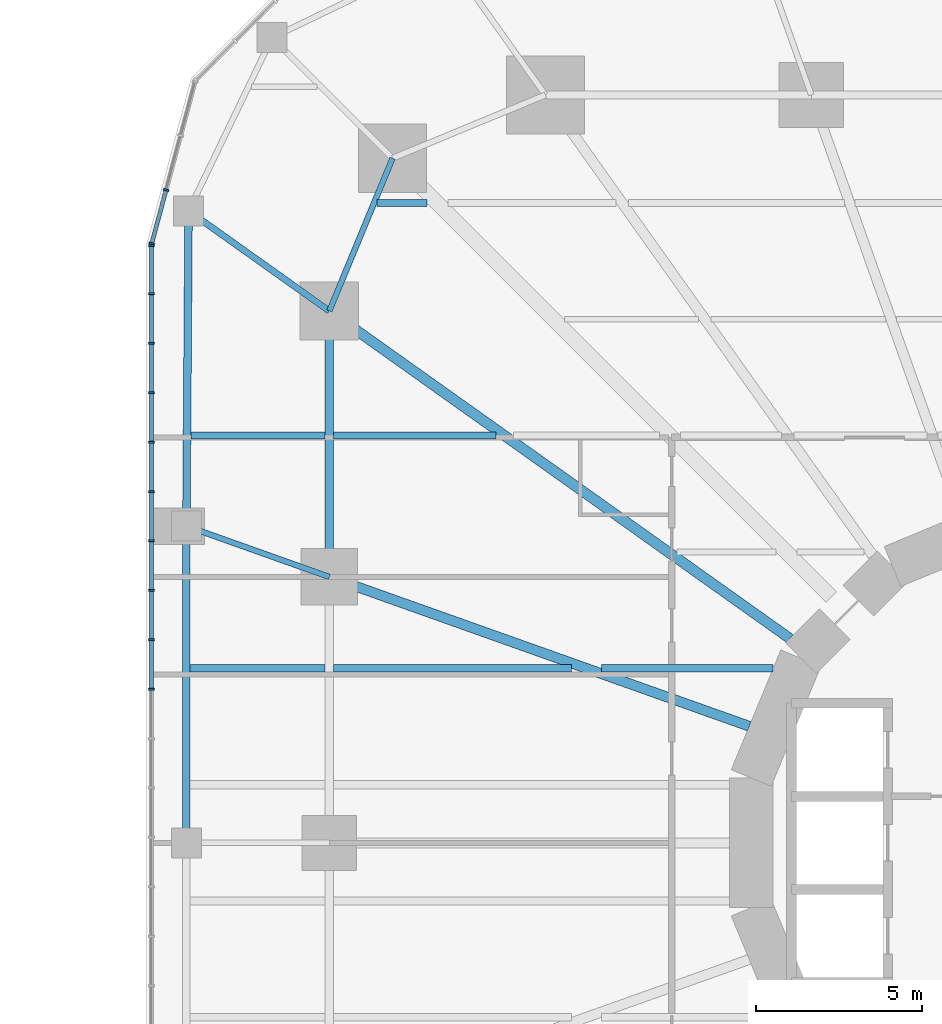
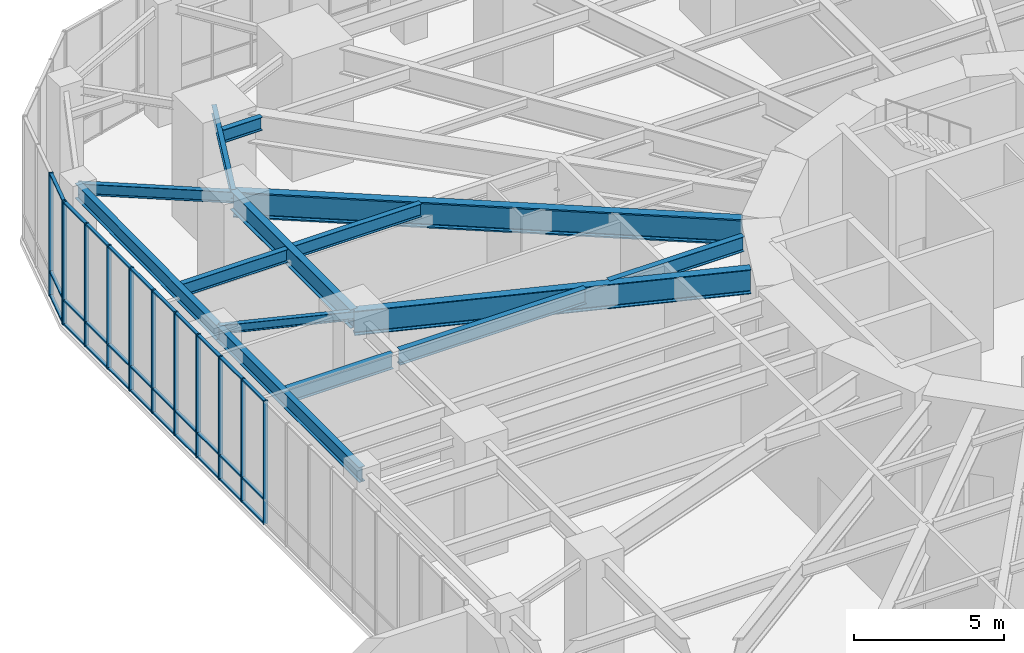
# One storey, part 10 of 24: 42 members, 14 beams, 2 elements without a shape of their own.
"""IFC4 building model written with IfcOpenShell, lengths in metres."""

from ifc_helpers import new_model, si_unit, direction, frame, origin, origin_2d, place, context, subcontext, project, spatial, rectangle, i_section, extrude, material, material_profile, profile_set, type_object, element, aggregate, save


model = new_model("IFC4")

# Units and contexts
model_context = context("Model", 3, precision=1e-05, world=origin(), true_north=direction((0.0, 1.0)))
body_context = subcontext(model_context, "Body", "Model", "MODEL_VIEW")
ifc_project = project(units=[si_unit("LENGTHUNIT", "METRE"), si_unit("AREAUNIT", "SQUARE_METRE"), si_unit("VOLUMEUNIT", "CUBIC_METRE"), si_unit("PLANEANGLEUNIT", "RADIAN"), si_unit("MASSUNIT", "GRAM", prefix="KILO")], contexts=[model_context])

# Site, building, storey
site_placement = place(None, origin())
site = spatial("IfcSite", under=ifc_project, at=site_placement, CompositionType="ELEMENT")
building_placement = place(site_placement, origin())
building = spatial("IfcBuilding", under=site, at=building_placement, Name="Nakasero Lantern House", CompositionType="ELEMENT")
storey_placement = place(building_placement, frame((0.0, 0.0, 11.0)))
storey = spatial("IfcBuildingStorey", under=building, at=storey_placement, Name="L02", CompositionType="ELEMENT", Elevation=11.0)

# Beams
ifc_material_1 = material(Name="Steel S355", Category="steel")
ifc_material_profile_1 = material_profile(ifc_material_1, i_section(OverallWidth=0.2099609375, OverallDepth=0.53662109375, WebThickness=0.0107421875, FlangeThickness=0.017333984375, FilletRadius=0.0126953125, at=origin_2d()), Name="UB 533x210x101")
ifc_profile_set_1 = profile_set([ifc_material_profile_1], Name="Steel S355")
beam_type_1 = type_object("IfcBeamType", Name="Infill beam UB 533x210x101", PredefinedType="JOIST", material=ifc_profile_set_1)
beam_1_placement = place(storey_placement, frame((-21.06103515625, 19.25, 4.53173828125), z_axis=(1.0, 0.0, 0.0), x_axis=(0.0, 1.0, 0.0)))
element("IfcBeam", 1, at=beam_1_placement, inside=storey, type_object=beam_type_1, Name="Infill beam L03 14.1", PredefinedType="JOIST", context=body_context, shape_type="SweptSolid", body=[
    extrude(i_section(OverallWidth=0.2099609375, OverallDepth=0.53662109375, WebThickness=0.0107421875, FlangeThickness=0.017333984375, FilletRadius=0.0126953125, at=origin_2d()), origin(), (0.0, 0.0, 1.0), 1.492919921875),
])
ifc_material_2 = material(Name="Steel S355", Category="steel")
ifc_material_profile_2 = material_profile(ifc_material_2, i_section(OverallWidth=0.208740234375, OverallDepth=0.5283203125, WebThickness=0.009521484375, FlangeThickness=0.01318359375, FilletRadius=0.0126953125, at=origin_2d()), Name="UB 533x210x82")
ifc_profile_set_2 = profile_set([ifc_material_profile_2], Name="Steel S355")
beam_type_2 = type_object("IfcBeamType", Name="Infill beam UB 533x210x82", PredefinedType="JOIST", material=ifc_profile_set_2)
beam_2_placement = place(storey_placement, frame((-26.66650390625, 12.25, 4.48583984375), z_axis=(1.0, 0.0, 0.0), x_axis=(0.0, 1.0, 0.0)))
element("IfcBeam", 2, at=beam_2_placement, inside=storey, type_object=beam_type_2, Name="Infill beam L03 12.1", PredefinedType="JOIST", context=body_context, shape_type="SweptSolid", body=[
    extrude(i_section(OverallWidth=0.208740234375, OverallDepth=0.5283203125, WebThickness=0.009521484375, FlangeThickness=0.01318359375, FilletRadius=0.0126953125, at=origin_2d()), origin(), (0.0, 0.0, 1.0), 4.033203125),
])
beam_3_placement = place(storey_placement, frame((-22.36669921875, 12.25, 4.535888671875), z_axis=(1.0, 0.0, 0.0), x_axis=(0.0, 1.0, 0.0)))
element("IfcBeam", 3, at=beam_3_placement, inside=storey, type_object=beam_type_2, Name="Infill beam L03 12.2", PredefinedType="JOIST", context=body_context, shape_type="SweptSolid", body=[
    extrude(i_section(OverallWidth=0.208740234375, OverallDepth=0.5283203125, WebThickness=0.009521484375, FlangeThickness=0.01318359375, FilletRadius=0.0126953125, at=origin_2d()), origin(), (0.0, 0.0, 1.0), 4.8740234375),
])
ifc_material_3 = material(Name="Steel S355", Category="steel")
ifc_material_profile_3 = material_profile(ifc_material_3, i_section(OverallWidth=0.2275390625, OverallDepth=0.6025390625, WebThickness=0.010498046875, FlangeThickness=0.014892578125, FilletRadius=0.0126953125, at=origin_2d()), Name="UB 610x229x101")
ifc_profile_set_3 = profile_set([ifc_material_profile_3], Name="Steel S355")
beam_type_3 = type_object("IfcBeamType", Name="Infill beam UB 610x229x101", PredefinedType="JOIST", material=ifc_profile_set_3)
beam_4_placement = place(storey_placement, frame((-26.685546875, 5.25, 4.44873046875), z_axis=(1.0, 0.0, 0.0), x_axis=(0.0, 1.0, 0.0)))
element("IfcBeam", 4, at=beam_4_placement, inside=storey, type_object=beam_type_3, Name="Infill beam L03 10.1", PredefinedType="JOIST", context=body_context, shape_type="SweptSolid", body=[
    extrude(i_section(OverallWidth=0.2275390625, OverallDepth=0.6025390625, WebThickness=0.010498046875, FlangeThickness=0.014892578125, FilletRadius=0.0126953125, at=origin_2d()), origin(), (0.0, 0.0, 1.0), 4.0576171875),
])
beam_5_placement = place(storey_placement, frame((-22.3720703125, 5.25, 4.498779296875), z_axis=(1.0, 0.0, 0.0), x_axis=(0.0, 1.0, 0.0)))
element("IfcBeam", 5, at=beam_5_placement, inside=storey, type_object=beam_type_3, Name="Infill beam L03 10.2", PredefinedType="JOIST", context=body_context, shape_type="SweptSolid", body=[
    extrude(i_section(OverallWidth=0.2275390625, OverallDepth=0.6025390625, WebThickness=0.010498046875, FlangeThickness=0.014892578125, FilletRadius=0.0126953125, at=origin_2d()), origin(), (0.0, 0.0, 1.0), 7.15869140625),
])
beam_6_placement = place(storey_placement, frame((-14.31787109375, 5.25, 4.498779296875), z_axis=(1.0, 0.0, 0.0), x_axis=(0.0, 1.0, 0.0)))
element("IfcBeam", 6, at=beam_6_placement, inside=storey, type_object=beam_type_3, Name="Infill beam L03 10.3", PredefinedType="JOIST", context=body_context, shape_type="SweptSolid", body=[
    extrude(i_section(OverallWidth=0.2275390625, OverallDepth=0.6025390625, WebThickness=0.010498046875, FlangeThickness=0.014892578125, FilletRadius=0.0126953125, at=origin_2d()), origin(), (0.0, 0.0, 1.0), 5.173095703125),
])

# Curtain wall, members
ifc_material_4 = material(Name="Aluminium 6063-T6 and glass", Category="aluminium")
curtain_wall_type = type_object("IfcCurtainWallType", Name="Podium curtain wall CW-2", PredefinedType="USERDEFINED", material=ifc_material_4)
curtain_wall_1_placement = place(storey_placement, origin())
curtain_wall_1 = element("IfcCurtainWall", 7, at=curtain_wall_1_placement, inside=storey, type_object=curtain_wall_type, Name="Curtain wall CW-2 L02", ObjectType="STICK CURTAIN WALL", PredefinedType="USERDEFINED")
ifc_material_5 = material(Name="Aluminium 6063-T6", Category="aluminium")
ifc_material_profile_4 = material_profile(ifc_material_5, rectangle(XDim=0.06005859375, YDim=0.159912109375, at=origin_2d()), Name="CW-2 mullion 60x160")
ifc_profile_set_4 = profile_set([ifc_material_profile_4], Name="Aluminium 6063-T6")
member_type_1 = type_object("IfcMemberType", Name="Mullion CW-2", PredefinedType="MULLION", material=ifc_profile_set_4)
member_1_placement = place(storey_placement, frame((-27.41015625, 19.6416015625, 0.0), z_axis=(0.0, 0.0, 1.0), x_axis=(-0.258819045103, -0.965925826289, 0.0)))
member_1 = element("IfcMember", 8, at=member_1_placement, type_object=member_type_1, Name="CW-2 mullion 3", PredefinedType="MULLION", context=body_context, shape_type="SweptSolid", body=[
    extrude(rectangle(XDim=0.06005859375, YDim=0.159912109375, at=origin_2d()), origin(), (0.0, 0.0, 1.0), 5.0),
])
member_2_placement = place(storey_placement, frame((-27.84228515625, 18.029052734375, 0.0), z_axis=(0.0, 0.0, 1.0), x_axis=(-0.258819045103, -0.965925826289, 0.0)))
member_2 = element("IfcMember", 9, at=member_2_placement, type_object=member_type_1, Name="CW-2 mullion 4", PredefinedType="MULLION", context=body_context, shape_type="SweptSolid", body=[
    extrude(rectangle(XDim=0.06005859375, YDim=0.159912109375, at=origin_2d()), origin(), (0.0, 0.0, 1.0), 5.0),
])

curtain_wall_2_placement = place(storey_placement, origin())
curtain_wall_2 = element("IfcCurtainWall", 10, at=curtain_wall_2_placement, inside=storey, type_object=curtain_wall_type, Name="Curtain wall CW-2 L02", ObjectType="STICK CURTAIN WALL", PredefinedType="USERDEFINED")
member_3_placement = place(storey_placement, frame((-27.85009765625, 17.969970703125, 0.0), z_axis=(0.0, 0.0, 1.0), x_axis=(0.0, -1.0, 0.0)))
member_3 = element("IfcMember", 11, at=member_3_placement, type_object=member_type_1, Name="CW-2 mullion 1", PredefinedType="MULLION", context=body_context, shape_type="SweptSolid", body=[
    extrude(rectangle(XDim=0.06005859375, YDim=0.159912109375, at=origin_2d()), origin(), (0.0, 0.0, 1.0), 5.0),
])
member_4_placement = place(storey_placement, frame((-27.85009765625, 16.513916015625, 0.0), z_axis=(0.0, 0.0, 1.0), x_axis=(0.0, -1.0, 0.0)))
member_4 = element("IfcMember", 12, at=member_4_placement, type_object=member_type_1, Name="CW-2 mullion 2", PredefinedType="MULLION", context=body_context, shape_type="SweptSolid", body=[
    extrude(rectangle(XDim=0.06005859375, YDim=0.159912109375, at=origin_2d()), origin(), (0.0, 0.0, 1.0), 5.0),
])
member_5_placement = place(storey_placement, frame((-27.85009765625, 15.02783203125, 0.0), z_axis=(0.0, 0.0, 1.0), x_axis=(0.0, -1.0, 0.0)))
member_5 = element("IfcMember", 13, at=member_5_placement, type_object=member_type_1, Name="CW-2 mullion 3", PredefinedType="MULLION", context=body_context, shape_type="SweptSolid", body=[
    extrude(rectangle(XDim=0.06005859375, YDim=0.159912109375, at=origin_2d()), origin(), (0.0, 0.0, 1.0), 5.0),
])
member_6_placement = place(storey_placement, frame((-27.85009765625, 13.541748046875, 0.0), z_axis=(0.0, 0.0, 1.0), x_axis=(0.0, -1.0, 0.0)))
member_6 = element("IfcMember", 14, at=member_6_placement, type_object=member_type_1, Name="CW-2 mullion 4", PredefinedType="MULLION", context=body_context, shape_type="SweptSolid", body=[
    extrude(rectangle(XDim=0.06005859375, YDim=0.159912109375, at=origin_2d()), origin(), (0.0, 0.0, 1.0), 5.0),
])
member_7_placement = place(storey_placement, frame((-27.85009765625, 12.0556640625, 0.0), z_axis=(0.0, 0.0, 1.0), x_axis=(0.0, -1.0, 0.0)))
member_7 = element("IfcMember", 15, at=member_7_placement, type_object=member_type_1, Name="CW-2 mullion 5", PredefinedType="MULLION", context=body_context, shape_type="SweptSolid", body=[
    extrude(rectangle(XDim=0.06005859375, YDim=0.159912109375, at=origin_2d()), origin(), (0.0, 0.0, 1.0), 5.0),
])
member_8_placement = place(storey_placement, frame((-27.85009765625, 10.5693359375, 0.0), z_axis=(0.0, 0.0, 1.0), x_axis=(0.0, -1.0, 0.0)))
member_8 = element("IfcMember", 16, at=member_8_placement, type_object=member_type_1, Name="CW-2 mullion 6", PredefinedType="MULLION", context=body_context, shape_type="SweptSolid", body=[
    extrude(rectangle(XDim=0.06005859375, YDim=0.159912109375, at=origin_2d()), origin(), (0.0, 0.0, 1.0), 5.0),
])
member_9_placement = place(storey_placement, frame((-27.85009765625, 9.083251953125, 0.0), z_axis=(0.0, 0.0, 1.0), x_axis=(0.0, -1.0, 0.0)))
member_9 = element("IfcMember", 17, at=member_9_placement, type_object=member_type_1, Name="CW-2 mullion 7", PredefinedType="MULLION", context=body_context, shape_type="SweptSolid", body=[
    extrude(rectangle(XDim=0.06005859375, YDim=0.159912109375, at=origin_2d()), origin(), (0.0, 0.0, 1.0), 5.0),
])
member_10_placement = place(storey_placement, frame((-27.85009765625, 7.59716796875, 0.0), z_axis=(0.0, 0.0, 1.0), x_axis=(0.0, -1.0, 0.0)))
member_10 = element("IfcMember", 18, at=member_10_placement, type_object=member_type_1, Name="CW-2 mullion 8", PredefinedType="MULLION", context=body_context, shape_type="SweptSolid", body=[
    extrude(rectangle(XDim=0.06005859375, YDim=0.159912109375, at=origin_2d()), origin(), (0.0, 0.0, 1.0), 5.0),
])
member_11_placement = place(storey_placement, frame((-27.85009765625, 6.111083984375, 0.0), z_axis=(0.0, 0.0, 1.0), x_axis=(0.0, -1.0, 0.0)))
member_11 = element("IfcMember", 19, at=member_11_placement, type_object=member_type_1, Name="CW-2 mullion 9", PredefinedType="MULLION", context=body_context, shape_type="SweptSolid", body=[
    extrude(rectangle(XDim=0.06005859375, YDim=0.159912109375, at=origin_2d()), origin(), (0.0, 0.0, 1.0), 5.0),
])
member_12_placement = place(storey_placement, frame((-27.85009765625, 4.625, 0.0), z_axis=(0.0, 0.0, 1.0), x_axis=(0.0, -1.0, 0.0)))
member_12 = element("IfcMember", 20, at=member_12_placement, type_object=member_type_1, Name="CW-2 mullion 10", PredefinedType="MULLION", context=body_context, shape_type="SweptSolid", body=[
    extrude(rectangle(XDim=0.06005859375, YDim=0.159912109375, at=origin_2d()), origin(), (0.0, 0.0, 1.0), 5.0),
])

# Beams
ifc_material_6 = material(Name="Steel S355", Category="steel")
ifc_material_profile_5 = material_profile(ifc_material_6, i_section(OverallWidth=0.300048828125, OverallDepth=0.989990234375, WebThickness=0.0166015625, FlangeThickness=0.031005859375, FilletRadius=0.030029296875, at=origin_2d()), Name="UB 1016x305x272")
ifc_profile_set_5 = profile_set([ifc_material_profile_5], Name="Steel S355")
beam_type_4 = type_object("IfcBeamType", Name="Primary beam UB 1016x305x272, span 12 to 15 m", PredefinedType="BEAM", material=ifc_profile_set_5)
beam_7_placement = place(storey_placement, frame((-22.5, 8.0, 4.304931640625), z_axis=(0.942214307118, -0.335010745293, 0.0), x_axis=(0.335010745293, 0.942214307118, 0.0)))
element("IfcBeam", 21, at=beam_7_placement, inside=storey, type_object=beam_type_4, Name="Primary beam L03 B1-C14", PredefinedType="BEAM", context=body_context, shape_type="SweptSolid", body=[
    extrude(i_section(OverallWidth=0.300048828125, OverallDepth=0.989990234375, WebThickness=0.0166015625, FlangeThickness=0.031005859375, FilletRadius=0.030029296875, at=origin_2d()), origin(), (0.0, 0.0, 1.0), 13.408447265625),
])
ifc_material_7 = material(Name="Steel S355", Category="steel")
ifc_material_profile_6 = material_profile(ifc_material_7, i_section(OverallWidth=0.30859375, OverallDepth=1.036376953125, WebThickness=0.030029296875, FlangeThickness=0.05419921875, FilletRadius=0.030029296875, at=origin_2d()), Name="UB 1016x305x487")
ifc_profile_set_6 = profile_set([ifc_material_profile_6], Name="Steel S355")
beam_type_5 = type_object("IfcBeamType", Name="Primary beam UB 1016x305x487, span over 15 m", PredefinedType="BEAM", material=ifc_profile_set_6)
beam_8_placement = place(storey_placement, frame((-22.5, 16.0, 4.28173828125), z_axis=(0.814952159915, -0.579528236629, 0.0), x_axis=(0.579528236629, 0.814952159915, 0.0)))
element("IfcBeam", 22, at=beam_8_placement, inside=storey, type_object=beam_type_5, Name="Primary beam L03 B1-C13", PredefinedType="BEAM", context=body_context, shape_type="SweptSolid", body=[
    extrude(i_section(OverallWidth=0.30859375, OverallDepth=1.036376953125, WebThickness=0.030029296875, FlangeThickness=0.05419921875, FilletRadius=0.030029296875, at=origin_2d()), origin(), (0.0, 0.0, 1.0), 17.003173828125),
])
ifc_material_8 = material(Name="Steel S355", Category="steel")
ifc_material_profile_7 = material_profile(ifc_material_8, i_section(OverallWidth=0.17138671875, OverallDepth=0.35498046875, WebThickness=0.00732421875, FlangeThickness=0.011474609375, FilletRadius=0.01025390625, at=origin_2d()), Name="UB 356x171x51")
ifc_profile_set_7 = profile_set([ifc_material_profile_7], Name="Steel S355")
beam_type_6 = type_object("IfcBeamType", Name="Primary beam UB 356x171x51, span to 6 m", PredefinedType="BEAM", material=ifc_profile_set_7)
beam_9_placement = place(storey_placement, frame((-26.800048828125, 9.52880859375, 4.572509765625), z_axis=(0.942221444489, -0.334990670833, 0.0), x_axis=(0.334990670833, 0.942221444489, 0.0)))
element("IfcBeam", 23, at=beam_9_placement, inside=storey, type_object=beam_type_6, Name="Primary beam L03 POD-C14", PredefinedType="BEAM", context=body_context, shape_type="SweptSolid", body=[
    extrude(i_section(OverallWidth=0.17138671875, OverallDepth=0.35498046875, WebThickness=0.00732421875, FlangeThickness=0.011474609375, FilletRadius=0.01025390625, at=origin_2d()), origin(), (0.0, 0.0, 1.0), 4.563720703125),
])
ifc_material_9 = material(Name="Steel S355", Category="steel")
ifc_material_profile_8 = material_profile(ifc_material_9, i_section(OverallWidth=0.18994140625, OverallDepth=0.453369140625, WebThickness=0.008544921875, FlangeThickness=0.0126953125, FilletRadius=0.01025390625, at=origin_2d()), Name="UB 457x191x67")
ifc_profile_set_8 = profile_set([ifc_material_profile_8], Name="Steel S355")
beam_type_7 = type_object("IfcBeamType", Name="Primary beam UB 457x191x67, span to 6 m", PredefinedType="BEAM", material=ifc_profile_set_8)
beam_10_placement = place(storey_placement, frame((-26.733642578125, 19.0107421875, 4.523193359375), z_axis=(0.814941514044, -0.57954320692, 0.0), x_axis=(0.57954320692, 0.814941514044, 0.0)))
element("IfcBeam", 24, at=beam_10_placement, inside=storey, type_object=beam_type_7, Name="Primary beam L03 POD-C13", PredefinedType="BEAM", context=body_context, shape_type="SweptSolid", body=[
    extrude(i_section(OverallWidth=0.18994140625, OverallDepth=0.453369140625, WebThickness=0.008544921875, FlangeThickness=0.0126953125, FilletRadius=0.01025390625, at=origin_2d()), origin(), (0.0, 0.0, 1.0), 5.195068359375),
])
ifc_material_10 = material(Name="Steel S355", Category="steel")
ifc_material_profile_9 = material_profile(ifc_material_10, i_section(OverallWidth=0.17138671875, OverallDepth=0.35498046875, WebThickness=0.00732421875, FlangeThickness=0.011474609375, FilletRadius=0.01025390625, at=origin_2d()), Name="UB 356x171x51")
ifc_profile_set_9 = profile_set([ifc_material_profile_9], Name="Steel S355")
beam_type_8 = type_object("IfcBeamType", Name="Ring beam UB 356x171x51", PredefinedType="BEAM", material=ifc_profile_set_9)
beam_11_placement = place(storey_placement, frame((-20.59619140625, 20.59619140625, 4.62255859375), z_axis=(-0.382684080569, -0.923879264016, 0.0), x_axis=(0.923879264016, -0.382684080569, 0.0)))
element("IfcBeam", 25, at=beam_11_placement, inside=storey, type_object=beam_type_8, Name="Ring beam L03 B1-C12", PredefinedType="BEAM", context=body_context, shape_type="SweptSolid", body=[
    extrude(i_section(OverallWidth=0.17138671875, OverallDepth=0.35498046875, WebThickness=0.00732421875, FlangeThickness=0.011474609375, FilletRadius=0.01025390625, at=origin_2d()), origin(), (0.0, 0.0, 1.0), 4.974853515625),
])
ifc_material_11 = material(Name="Steel S355", Category="steel")
ifc_material_profile_10 = material_profile(ifc_material_11, i_section(OverallWidth=0.22900390625, OverallDepth=0.6123046875, WebThickness=0.011962890625, FlangeThickness=0.01953125, FilletRadius=0.0126953125, at=origin_2d()), Name="UB 610x229x125")
ifc_profile_set_10 = profile_set([ifc_material_profile_10], Name="Steel S355")
beam_type_9 = type_object("IfcBeamType", Name="Ring beam UB 610x229x125", PredefinedType="BEAM", material=ifc_profile_set_10)
beam_12_placement = place(storey_placement, frame((-26.733642578125, 19.0107421875, 4.44384765625), z_axis=(-0.007003278482, -0.999975476745, 0.0), x_axis=(0.999975476745, -0.007003278482, 0.0)))
element("IfcBeam", 26, at=beam_12_placement, inside=storey, type_object=beam_type_9, Name="Ring beam L03 POD-C13", PredefinedType="BEAM", context=body_context, shape_type="SweptSolid", body=[
    extrude(i_section(OverallWidth=0.22900390625, OverallDepth=0.6123046875, WebThickness=0.011962890625, FlangeThickness=0.01953125, FilletRadius=0.0126953125, at=origin_2d()), origin(), (0.0, 0.0, 1.0), 9.482177734375),
])
beam_13_placement = place(storey_placement, frame((-26.800048828125, 9.52880859375, 4.44384765625), z_axis=(0.0, -1.0, 0.0), x_axis=(1.0, 0.0, 0.0)))
element("IfcBeam", 27, at=beam_13_placement, inside=storey, type_object=beam_type_9, Name="Ring beam L03 POD-C14", PredefinedType="BEAM", context=body_context, shape_type="SweptSolid", body=[
    extrude(i_section(OverallWidth=0.22900390625, OverallDepth=0.6123046875, WebThickness=0.011962890625, FlangeThickness=0.01953125, FilletRadius=0.0126953125, at=origin_2d()), origin(), (0.0, 0.0, 1.0), 9.52880859375),
])
ifc_material_12 = material(Name="Steel S355", Category="steel")
ifc_material_profile_11 = material_profile(ifc_material_12, i_section(OverallWidth=0.2666015625, OverallDepth=0.76220703125, WebThickness=0.014404296875, FlangeThickness=0.021484375, FilletRadius=0.0166015625, at=origin_2d()), Name="UB 762x267x173")
ifc_profile_set_11 = profile_set([ifc_material_profile_11], Name="Steel S355")
beam_type_10 = type_object("IfcBeamType", Name="Ring beam UB 762x267x173", PredefinedType="BEAM", material=ifc_profile_set_11)
beam_14_placement = place(storey_placement, frame((-22.5, 16.0, 4.4189453125), z_axis=(0.0, -1.0, 0.0), x_axis=(1.0, 0.0, 0.0)))
element("IfcBeam", 28, at=beam_14_placement, inside=storey, type_object=beam_type_10, Name="Ring beam L03 B1-C13", PredefinedType="BEAM", context=body_context, shape_type="SweptSolid", body=[
    extrude(i_section(OverallWidth=0.2666015625, OverallDepth=0.76220703125, WebThickness=0.014404296875, FlangeThickness=0.021484375, FilletRadius=0.0166015625, at=origin_2d()), origin(), (0.0, 0.0, 1.0), 8.0),
])

# Member
ifc_material_13 = material(Name="Aluminium 6063-T6", Category="aluminium")
ifc_material_profile_12 = material_profile(ifc_material_13, rectangle(XDim=0.06005859375, YDim=0.1201171875, at=origin_2d()), Name="CW-2 transom 60x120")
ifc_profile_set_12 = profile_set([ifc_material_profile_12], Name="Aluminium 6063-T6")
member_type_2 = type_object("IfcMemberType", Name="Transom CW-2", PredefinedType="USERDEFINED", material=ifc_profile_set_12)
member_13_placement = place(storey_placement, frame((-27.41796875, 19.61279296875, 0.030029296875), z_axis=(-0.258738612203, -0.96594737463, 0.0), x_axis=(0.0, 0.0, 1.0)))
member_13 = element("IfcMember", 29, at=member_13_placement, type_object=member_type_2, Name="CW-2 transom 3.1", ObjectType="TRANSOM", PredefinedType="USERDEFINED", context=body_context, shape_type="SweptSolid", body=[
    extrude(rectangle(XDim=0.06005859375, YDim=0.1201171875, at=origin_2d()), origin(), (0.0, 0.0, 1.0), 1.60986328125),
])

member_14_placement = place(storey_placement, frame((-27.41796875, 19.61279296875, 1.0), z_axis=(-0.258738612203, -0.96594737463, 0.0), x_axis=(0.0, 0.0, 1.0)))
member_14 = element("IfcMember", 30, at=member_14_placement, type_object=member_type_2, Name="CW-2 transom 3.2", ObjectType="TRANSOM", PredefinedType="USERDEFINED", context=body_context, shape_type="SweptSolid", body=[
    extrude(rectangle(XDim=0.06005859375, YDim=0.1201171875, at=origin_2d()), origin(), (0.0, 0.0, 1.0), 1.60986328125),
])

member_15_placement = place(storey_placement, frame((-27.41796875, 19.61279296875, 4.969970703125), z_axis=(-0.258738612203, -0.96594737463, 0.0), x_axis=(0.0, 0.0, 1.0)))
member_15 = element("IfcMember", 31, at=member_15_placement, type_object=member_type_2, Name="CW-2 transom 3.3", ObjectType="TRANSOM", PredefinedType="USERDEFINED", context=body_context, shape_type="SweptSolid", body=[
    extrude(rectangle(XDim=0.06005859375, YDim=0.1201171875, at=origin_2d()), origin(), (0.0, 0.0, 1.0), 1.60986328125),
])

aggregate(curtain_wall_1, [member_1, member_2, member_13, member_14, member_15])

member_16_placement = place(storey_placement, frame((-27.85009765625, 17.93994140625, 0.030029296875), z_axis=(0.0, -1.0, 0.0), x_axis=(0.0, 0.0, 1.0)))
member_16 = element("IfcMember", 32, at=member_16_placement, type_object=member_type_2, Name="CW-2 transom 1.1", ObjectType="TRANSOM", PredefinedType="USERDEFINED", context=body_context, shape_type="SweptSolid", body=[
    extrude(rectangle(XDim=0.06005859375, YDim=0.1201171875, at=origin_2d()), origin(), (0.0, 0.0, 1.0), 1.39599609375),
])

member_17_placement = place(storey_placement, frame((-27.85009765625, 17.93994140625, 1.0), z_axis=(0.0, -1.0, 0.0), x_axis=(0.0, 0.0, 1.0)))
member_17 = element("IfcMember", 33, at=member_17_placement, type_object=member_type_2, Name="CW-2 transom 1.2", ObjectType="TRANSOM", PredefinedType="USERDEFINED", context=body_context, shape_type="SweptSolid", body=[
    extrude(rectangle(XDim=0.06005859375, YDim=0.1201171875, at=origin_2d()), origin(), (0.0, 0.0, 1.0), 1.39599609375),
])

member_18_placement = place(storey_placement, frame((-27.85009765625, 17.93994140625, 4.969970703125), z_axis=(0.0, -1.0, 0.0), x_axis=(0.0, 0.0, 1.0)))
member_18 = element("IfcMember", 34, at=member_18_placement, type_object=member_type_2, Name="CW-2 transom 1.3", ObjectType="TRANSOM", PredefinedType="USERDEFINED", context=body_context, shape_type="SweptSolid", body=[
    extrude(rectangle(XDim=0.06005859375, YDim=0.1201171875, at=origin_2d()), origin(), (0.0, 0.0, 1.0), 1.39599609375),
])

member_19_placement = place(storey_placement, frame((-27.85009765625, 16.48388671875, 0.030029296875), z_axis=(0.0, -1.0, 0.0), x_axis=(0.0, 0.0, 1.0)))
member_19 = element("IfcMember", 35, at=member_19_placement, type_object=member_type_2, Name="CW-2 transom 2.1", ObjectType="TRANSOM", PredefinedType="USERDEFINED", context=body_context, shape_type="SweptSolid", body=[
    extrude(rectangle(XDim=0.06005859375, YDim=0.1201171875, at=origin_2d()), origin(), (0.0, 0.0, 1.0), 1.426025390625),
])

member_20_placement = place(storey_placement, frame((-27.85009765625, 16.48388671875, 1.0), z_axis=(0.0, -1.0, 0.0), x_axis=(0.0, 0.0, 1.0)))
member_20 = element("IfcMember", 36, at=member_20_placement, type_object=member_type_2, Name="CW-2 transom 2.2", ObjectType="TRANSOM", PredefinedType="USERDEFINED", context=body_context, shape_type="SweptSolid", body=[
    extrude(rectangle(XDim=0.06005859375, YDim=0.1201171875, at=origin_2d()), origin(), (0.0, 0.0, 1.0), 1.426025390625),
])

member_21_placement = place(storey_placement, frame((-27.85009765625, 16.48388671875, 4.969970703125), z_axis=(0.0, -1.0, 0.0), x_axis=(0.0, 0.0, 1.0)))
member_21 = element("IfcMember", 37, at=member_21_placement, type_object=member_type_2, Name="CW-2 transom 2.3", ObjectType="TRANSOM", PredefinedType="USERDEFINED", context=body_context, shape_type="SweptSolid", body=[
    extrude(rectangle(XDim=0.06005859375, YDim=0.1201171875, at=origin_2d()), origin(), (0.0, 0.0, 1.0), 1.426025390625),
])

member_22_placement = place(storey_placement, frame((-27.85009765625, 14.997802734375, 0.030029296875), z_axis=(0.0, -1.0, 0.0), x_axis=(0.0, 0.0, 1.0)))
member_22 = element("IfcMember", 38, at=member_22_placement, type_object=member_type_2, Name="CW-2 transom 3.1", ObjectType="TRANSOM", PredefinedType="USERDEFINED", context=body_context, shape_type="SweptSolid", body=[
    extrude(rectangle(XDim=0.06005859375, YDim=0.1201171875, at=origin_2d()), origin(), (0.0, 0.0, 1.0), 1.426025390625),
])

member_23_placement = place(storey_placement, frame((-27.85009765625, 14.997802734375, 1.0), z_axis=(0.0, -1.0, 0.0), x_axis=(0.0, 0.0, 1.0)))
member_23 = element("IfcMember", 39, at=member_23_placement, type_object=member_type_2, Name="CW-2 transom 3.2", ObjectType="TRANSOM", PredefinedType="USERDEFINED", context=body_context, shape_type="SweptSolid", body=[
    extrude(rectangle(XDim=0.06005859375, YDim=0.1201171875, at=origin_2d()), origin(), (0.0, 0.0, 1.0), 1.426025390625),
])

member_24_placement = place(storey_placement, frame((-27.85009765625, 14.997802734375, 4.969970703125), z_axis=(0.0, -1.0, 0.0), x_axis=(0.0, 0.0, 1.0)))
member_24 = element("IfcMember", 40, at=member_24_placement, type_object=member_type_2, Name="CW-2 transom 3.3", ObjectType="TRANSOM", PredefinedType="USERDEFINED", context=body_context, shape_type="SweptSolid", body=[
    extrude(rectangle(XDim=0.06005859375, YDim=0.1201171875, at=origin_2d()), origin(), (0.0, 0.0, 1.0), 1.426025390625),
])

member_25_placement = place(storey_placement, frame((-27.85009765625, 13.51171875, 0.030029296875), z_axis=(0.0, -1.0, 0.0), x_axis=(0.0, 0.0, 1.0)))
member_25 = element("IfcMember", 41, at=member_25_placement, type_object=member_type_2, Name="CW-2 transom 4.1", ObjectType="TRANSOM", PredefinedType="USERDEFINED", context=body_context, shape_type="SweptSolid", body=[
    extrude(rectangle(XDim=0.06005859375, YDim=0.1201171875, at=origin_2d()), origin(), (0.0, 0.0, 1.0), 1.42626953125),
])

member_26_placement = place(storey_placement, frame((-27.85009765625, 13.51171875, 1.0), z_axis=(0.0, -1.0, 0.0), x_axis=(0.0, 0.0, 1.0)))
member_26 = element("IfcMember", 42, at=member_26_placement, type_object=member_type_2, Name="CW-2 transom 4.2", ObjectType="TRANSOM", PredefinedType="USERDEFINED", context=body_context, shape_type="SweptSolid", body=[
    extrude(rectangle(XDim=0.06005859375, YDim=0.1201171875, at=origin_2d()), origin(), (0.0, 0.0, 1.0), 1.42626953125),
])

member_27_placement = place(storey_placement, frame((-27.85009765625, 13.51171875, 4.969970703125), z_axis=(0.0, -1.0, 0.0), x_axis=(0.0, 0.0, 1.0)))
member_27 = element("IfcMember", 43, at=member_27_placement, type_object=member_type_2, Name="CW-2 transom 4.3", ObjectType="TRANSOM", PredefinedType="USERDEFINED", context=body_context, shape_type="SweptSolid", body=[
    extrude(rectangle(XDim=0.06005859375, YDim=0.1201171875, at=origin_2d()), origin(), (0.0, 0.0, 1.0), 1.42626953125),
])

member_28_placement = place(storey_placement, frame((-27.85009765625, 12.025634765625, 0.030029296875), z_axis=(0.0, -1.0, 0.0), x_axis=(0.0, 0.0, 1.0)))
member_28 = element("IfcMember", 44, at=member_28_placement, type_object=member_type_2, Name="CW-2 transom 5.1", ObjectType="TRANSOM", PredefinedType="USERDEFINED", context=body_context, shape_type="SweptSolid", body=[
    extrude(rectangle(XDim=0.06005859375, YDim=0.1201171875, at=origin_2d()), origin(), (0.0, 0.0, 1.0), 1.42626953125),
])

member_29_placement = place(storey_placement, frame((-27.85009765625, 12.025634765625, 1.0), z_axis=(0.0, -1.0, 0.0), x_axis=(0.0, 0.0, 1.0)))
member_29 = element("IfcMember", 45, at=member_29_placement, type_object=member_type_2, Name="CW-2 transom 5.2", ObjectType="TRANSOM", PredefinedType="USERDEFINED", context=body_context, shape_type="SweptSolid", body=[
    extrude(rectangle(XDim=0.06005859375, YDim=0.1201171875, at=origin_2d()), origin(), (0.0, 0.0, 1.0), 1.42626953125),
])

member_30_placement = place(storey_placement, frame((-27.85009765625, 12.025634765625, 4.969970703125), z_axis=(0.0, -1.0, 0.0), x_axis=(0.0, 0.0, 1.0)))
member_30 = element("IfcMember", 46, at=member_30_placement, type_object=member_type_2, Name="CW-2 transom 5.3", ObjectType="TRANSOM", PredefinedType="USERDEFINED", context=body_context, shape_type="SweptSolid", body=[
    extrude(rectangle(XDim=0.06005859375, YDim=0.1201171875, at=origin_2d()), origin(), (0.0, 0.0, 1.0), 1.42626953125),
])

member_31_placement = place(storey_placement, frame((-27.85009765625, 10.53955078125, 0.030029296875), z_axis=(0.0, -1.0, 0.0), x_axis=(0.0, 0.0, 1.0)))
member_31 = element("IfcMember", 47, at=member_31_placement, type_object=member_type_2, Name="CW-2 transom 6.1", ObjectType="TRANSOM", PredefinedType="USERDEFINED", context=body_context, shape_type="SweptSolid", body=[
    extrude(rectangle(XDim=0.06005859375, YDim=0.1201171875, at=origin_2d()), origin(), (0.0, 0.0, 1.0), 1.42626953125),
])

member_32_placement = place(storey_placement, frame((-27.85009765625, 10.53955078125, 1.0), z_axis=(0.0, -1.0, 0.0), x_axis=(0.0, 0.0, 1.0)))
member_32 = element("IfcMember", 48, at=member_32_placement, type_object=member_type_2, Name="CW-2 transom 6.2", ObjectType="TRANSOM", PredefinedType="USERDEFINED", context=body_context, shape_type="SweptSolid", body=[
    extrude(rectangle(XDim=0.06005859375, YDim=0.1201171875, at=origin_2d()), origin(), (0.0, 0.0, 1.0), 1.42626953125),
])

member_33_placement = place(storey_placement, frame((-27.85009765625, 10.53955078125, 4.969970703125), z_axis=(0.0, -1.0, 0.0), x_axis=(0.0, 0.0, 1.0)))
member_33 = element("IfcMember", 49, at=member_33_placement, type_object=member_type_2, Name="CW-2 transom 6.3", ObjectType="TRANSOM", PredefinedType="USERDEFINED", context=body_context, shape_type="SweptSolid", body=[
    extrude(rectangle(XDim=0.06005859375, YDim=0.1201171875, at=origin_2d()), origin(), (0.0, 0.0, 1.0), 1.42626953125),
])

member_34_placement = place(storey_placement, frame((-27.85009765625, 9.05322265625, 0.030029296875), z_axis=(0.0, -1.0, 0.0), x_axis=(0.0, 0.0, 1.0)))
member_34 = element("IfcMember", 50, at=member_34_placement, type_object=member_type_2, Name="CW-2 transom 7.1", ObjectType="TRANSOM", PredefinedType="USERDEFINED", context=body_context, shape_type="SweptSolid", body=[
    extrude(rectangle(XDim=0.06005859375, YDim=0.1201171875, at=origin_2d()), origin(), (0.0, 0.0, 1.0), 1.426025390625),
])

member_35_placement = place(storey_placement, frame((-27.85009765625, 9.05322265625, 1.0), z_axis=(0.0, -1.0, 0.0), x_axis=(0.0, 0.0, 1.0)))
member_35 = element("IfcMember", 51, at=member_35_placement, type_object=member_type_2, Name="CW-2 transom 7.2", ObjectType="TRANSOM", PredefinedType="USERDEFINED", context=body_context, shape_type="SweptSolid", body=[
    extrude(rectangle(XDim=0.06005859375, YDim=0.1201171875, at=origin_2d()), origin(), (0.0, 0.0, 1.0), 1.426025390625),
])

member_36_placement = place(storey_placement, frame((-27.85009765625, 9.05322265625, 4.969970703125), z_axis=(0.0, -1.0, 0.0), x_axis=(0.0, 0.0, 1.0)))
member_36 = element("IfcMember", 52, at=member_36_placement, type_object=member_type_2, Name="CW-2 transom 7.3", ObjectType="TRANSOM", PredefinedType="USERDEFINED", context=body_context, shape_type="SweptSolid", body=[
    extrude(rectangle(XDim=0.06005859375, YDim=0.1201171875, at=origin_2d()), origin(), (0.0, 0.0, 1.0), 1.426025390625),
])

member_37_placement = place(storey_placement, frame((-27.85009765625, 7.567138671875, 0.030029296875), z_axis=(0.0, -1.0, 0.0), x_axis=(0.0, 0.0, 1.0)))
member_37 = element("IfcMember", 53, at=member_37_placement, type_object=member_type_2, Name="CW-2 transom 8.1", ObjectType="TRANSOM", PredefinedType="USERDEFINED", context=body_context, shape_type="SweptSolid", body=[
    extrude(rectangle(XDim=0.06005859375, YDim=0.1201171875, at=origin_2d()), origin(), (0.0, 0.0, 1.0), 1.426025390625),
])

member_38_placement = place(storey_placement, frame((-27.85009765625, 7.567138671875, 1.0), z_axis=(0.0, -1.0, 0.0), x_axis=(0.0, 0.0, 1.0)))
member_38 = element("IfcMember", 54, at=member_38_placement, type_object=member_type_2, Name="CW-2 transom 8.2", ObjectType="TRANSOM", PredefinedType="USERDEFINED", context=body_context, shape_type="SweptSolid", body=[
    extrude(rectangle(XDim=0.06005859375, YDim=0.1201171875, at=origin_2d()), origin(), (0.0, 0.0, 1.0), 1.426025390625),
])

member_39_placement = place(storey_placement, frame((-27.85009765625, 7.567138671875, 4.969970703125), z_axis=(0.0, -1.0, 0.0), x_axis=(0.0, 0.0, 1.0)))
member_39 = element("IfcMember", 55, at=member_39_placement, type_object=member_type_2, Name="CW-2 transom 8.3", ObjectType="TRANSOM", PredefinedType="USERDEFINED", context=body_context, shape_type="SweptSolid", body=[
    extrude(rectangle(XDim=0.06005859375, YDim=0.1201171875, at=origin_2d()), origin(), (0.0, 0.0, 1.0), 1.426025390625),
])

member_40_placement = place(storey_placement, frame((-27.85009765625, 6.0810546875, 0.030029296875), z_axis=(0.0, -1.0, 0.0), x_axis=(0.0, 0.0, 1.0)))
member_40 = element("IfcMember", 56, at=member_40_placement, type_object=member_type_2, Name="CW-2 transom 9.1", ObjectType="TRANSOM", PredefinedType="USERDEFINED", context=body_context, shape_type="SweptSolid", body=[
    extrude(rectangle(XDim=0.06005859375, YDim=0.1201171875, at=origin_2d()), origin(), (0.0, 0.0, 1.0), 1.426025390625),
])

member_41_placement = place(storey_placement, frame((-27.85009765625, 6.0810546875, 1.0), z_axis=(0.0, -1.0, 0.0), x_axis=(0.0, 0.0, 1.0)))
member_41 = element("IfcMember", 57, at=member_41_placement, type_object=member_type_2, Name="CW-2 transom 9.2", ObjectType="TRANSOM", PredefinedType="USERDEFINED", context=body_context, shape_type="SweptSolid", body=[
    extrude(rectangle(XDim=0.06005859375, YDim=0.1201171875, at=origin_2d()), origin(), (0.0, 0.0, 1.0), 1.426025390625),
])

member_42_placement = place(storey_placement, frame((-27.85009765625, 6.0810546875, 4.969970703125), z_axis=(0.0, -1.0, 0.0), x_axis=(0.0, 0.0, 1.0)))
member_42 = element("IfcMember", 58, at=member_42_placement, type_object=member_type_2, Name="CW-2 transom 9.3", ObjectType="TRANSOM", PredefinedType="USERDEFINED", context=body_context, shape_type="SweptSolid", body=[
    extrude(rectangle(XDim=0.06005859375, YDim=0.1201171875, at=origin_2d()), origin(), (0.0, 0.0, 1.0), 1.426025390625),
])

aggregate(curtain_wall_2, [member_3, member_4, member_5, member_6, member_7, member_8, member_9, member_10, member_11, member_12, member_16, member_17, member_18, member_19, member_20, member_21, member_22, member_23, member_24, member_25, member_26, member_27, member_28, member_29, member_30, member_31, member_32, member_33, member_34, member_35, member_36, member_37, member_38, member_39, member_40, member_41, member_42])

save(model, "model.ifc")
